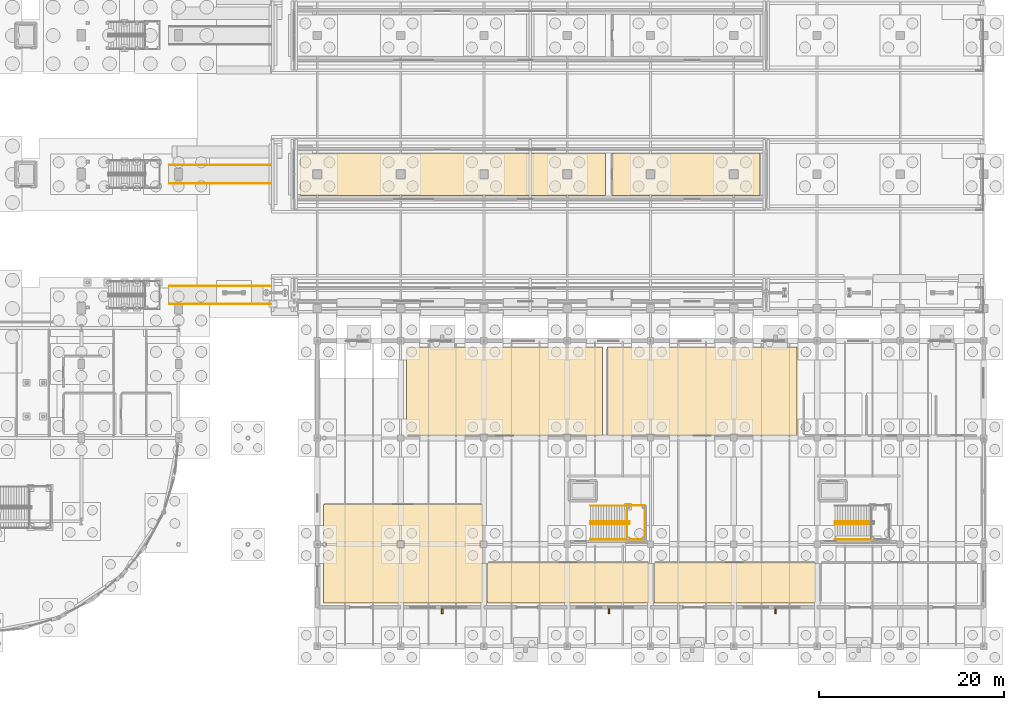
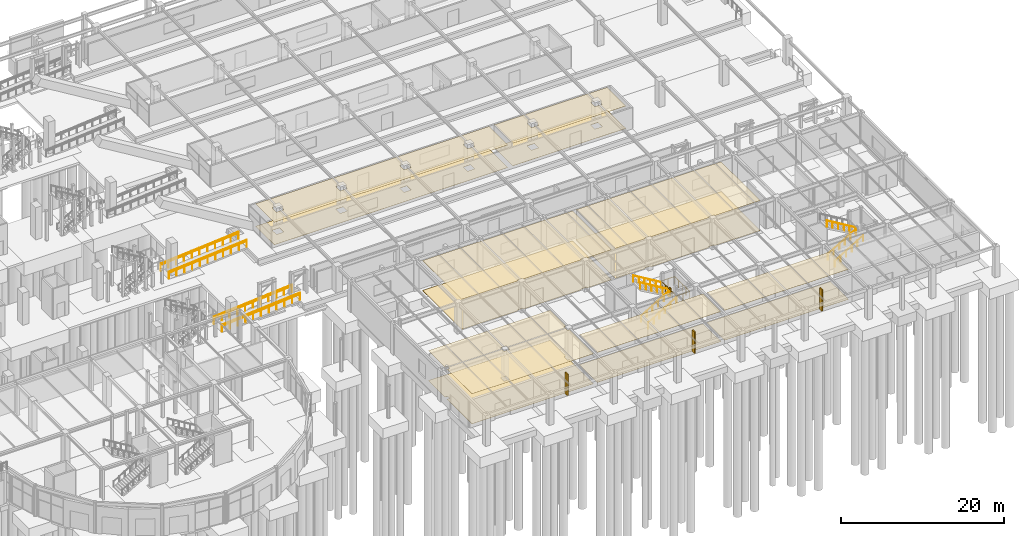
# One storey, part 158 of 160: 17 railings, 14 coverings, 3 shading devices.
"""IFC4 building model written with IfcOpenShell, lengths in metres."""

from ifc_helpers import new_model, si_unit, direction, frame, origin, origin_2d, place, context, subcontext, project, spatial, polyline, rectangle, circle, outline, extrude, material, layer, layer_set, type_object, element, save


model = new_model("IFC4")

# Units and contexts
model_context = context("Model", 3, precision=1e-05, world=origin(), true_north=direction((0.0, 1.0)))
body_context = subcontext(model_context, "Body", "Model", "MODEL_VIEW")
ifc_project = project(units=[si_unit("LENGTHUNIT", "METRE"), si_unit("AREAUNIT", "SQUARE_METRE"), si_unit("VOLUMEUNIT", "CUBIC_METRE"), si_unit("PLANEANGLEUNIT", "RADIAN"), si_unit("MASSUNIT", "GRAM", prefix="KILO")], contexts=[model_context])

# Site, building, storey
site_placement = place(None, origin())
site = spatial("IfcSite", under=ifc_project, at=site_placement, CompositionType="ELEMENT")
building_placement = place(site_placement, origin())
building = spatial("IfcBuilding", under=site, at=building_placement, Name="Marlcrest Central Station", CompositionType="ELEMENT")
storey_placement = place(building_placement, origin())
storey = spatial("IfcBuildingStorey", under=building, at=storey_placement, Name="L00", CompositionType="ELEMENT", Elevation=0.0)

# Coverings
ifc_material_1 = material(Name="Perforated acoustic mineral-fibre ceiling")
ifc_layer_1 = layer(ifc_material_1, 0.02490234375, Name="CV-CLG")
ifc_layer_set_1 = layer_set([ifc_layer_1], Name="Perforated acoustic mineral-fibre ceiling")
covering_type_1 = type_object("IfcCoveringType", Name="CV-CLG", PredefinedType="CEILING", material=ifc_layer_set_1)
covering_1_placement = place(storey_placement, frame((0.0, 0.0, 4.27490234375)))
element("IfcCovering", 1, at=covering_1_placement, inside=storey, type_object=covering_type_1, Name="cov-clg-0010", PredefinedType="CEILING", context=body_context, shape_type="SweptSolid", body=[
    extrude(outline(polyline([(175.139892578125, 48.7099609375), (142.159912109375, 48.7099609375), (142.159912109375, 53.2900390625), (175.139892578125, 53.2900390625), (175.139892578125, 48.7099609375)]), holes=[polyline([(144.510009765625, 50.489990234375), (144.510009765625, 51.510009765625), (143.489990234375, 51.510009765625), (143.489990234375, 50.489990234375), (144.510009765625, 50.489990234375)]), polyline([(152.489990234375, 50.489990234375), (153.510009765625, 50.489990234375), (153.510009765625, 51.510009765625), (152.489990234375, 51.510009765625), (152.489990234375, 50.489990234375)]), polyline([(161.489990234375, 51.510009765625), (161.489990234375, 50.489990234375), (162.510009765625, 50.489990234375), (162.510009765625, 51.510009765625), (161.489990234375, 51.510009765625)]), polyline([(171.510009765625, 51.510009765625), (170.489990234375, 51.510009765625), (170.489990234375, 50.489990234375), (171.510009765625, 50.489990234375), (171.510009765625, 51.510009765625)])]), origin(), (0.0, 0.0, 1.0), 0.025146484375),
])
covering_2_placement = place(storey_placement, frame((0.0, 0.0, 4.27490234375)))
element("IfcCovering", 2, at=covering_2_placement, inside=storey, type_object=covering_type_1, Name="cov-clg-0012", PredefinedType="CEILING", context=body_context, shape_type="SweptSolid", body=[
    extrude(outline(polyline([(175.860107421875, 53.2900390625), (191.840087890625, 53.2900390625), (191.840087890625, 48.7099609375), (175.860107421875, 48.7099609375), (175.860107421875, 53.2900390625)]), holes=[polyline([(179.489990234375, 51.510009765625), (179.489990234375, 50.489990234375), (180.510009765625, 50.489990234375), (180.510009765625, 51.510009765625), (179.489990234375, 51.510009765625)]), polyline([(189.510009765625, 51.510009765625), (188.489990234375, 51.510009765625), (188.489990234375, 50.489990234375), (189.510009765625, 50.489990234375), (189.510009765625, 51.510009765625)])]), origin(), (0.0, 0.0, 1.0), 0.025146484375),
])
covering_3_placement = place(storey_placement, frame((0.0, 0.0, 4.47509765625)))
element("IfcCovering", 3, at=covering_3_placement, inside=storey, type_object=covering_type_1, Name="cov-clg-0042", PredefinedType="CEILING", context=body_context, shape_type="SweptSolid", body=[
    extrude(outline(polyline([(161.840087890625, 15.340087890625), (161.840087890625, 11.409912109375), (161.590087890625, 11.409912109375), (161.590087890625, 10.590087890625), (161.840087890625, 10.590087890625), (161.840087890625, 4.659912109375), (144.659912109375, 4.659912109375), (144.659912109375, 10.737060546875), (145.012939453125, 10.737060546875), (145.012939453125, 11.262939453125), (144.659912109375, 11.262939453125), (144.659912109375, 15.340087890625), (161.840087890625, 15.340087890625)]), holes=[polyline([(152.590087890625, 10.590087890625), (153.409912109375, 10.590087890625), (153.409912109375, 11.409912109375), (152.590087890625, 11.409912109375), (152.590087890625, 10.590087890625)])]), origin(), (0.0, 0.0, 1.0), 0.02490234375),
])
covering_4_placement = place(storey_placement, frame((0.0, 0.0, 4.47509765625)))
element("IfcCovering", 4, at=covering_4_placement, inside=storey, type_object=covering_type_1, Name="cov-clg-0044", PredefinedType="CEILING", context=body_context, shape_type="SweptSolid", body=[
    extrude(outline(polyline([(179.840087890625, 4.659912109375), (179.840087890625, 9.0400390625), (162.360107421875, 9.0400390625), (162.360107421875, 4.659912109375), (179.840087890625, 4.659912109375)])), origin(), (0.0, 0.0, 1.0), 0.02490234375),
])
covering_5_placement = place(storey_placement, frame((0.0, 0.0, 4.47509765625)))
element("IfcCovering", 5, at=covering_5_placement, inside=storey, type_object=covering_type_1, Name="cov-clg-0046", PredefinedType="CEILING", context=body_context, shape_type="SweptSolid", body=[
    extrude(outline(polyline([(197.840087890625, 4.659912109375), (197.840087890625, 9.0400390625), (180.360107421875, 9.0400390625), (180.360107421875, 4.659912109375), (197.840087890625, 4.659912109375)])), origin(), (0.0, 0.0, 1.0), 0.02490234375),
])
covering_6_placement = place(storey_placement, frame((0.0, 0.0, 4.47509765625)))
element("IfcCovering", 6, at=covering_6_placement, inside=storey, type_object=covering_type_1, Name="cov-clg-0050", PredefinedType="CEILING", context=body_context, shape_type="SweptSolid", body=[
    extrude(outline(polyline([(153.659912109375, 32.340087890625), (174.840087890625, 32.340087890625), (174.840087890625, 22.760009765625), (171.409912109375, 22.760009765625), (171.409912109375, 22.909912109375), (170.590087890625, 22.909912109375), (170.590087890625, 22.760009765625), (162.409912109375, 22.760009765625), (162.409912109375, 22.909912109375), (161.590087890625, 22.909912109375), (161.590087890625, 22.760009765625), (153.659912109375, 22.760009765625), (153.659912109375, 32.340087890625)])), origin(), (0.0, 0.0, 1.0), 0.02490234375),
])
covering_7_placement = place(storey_placement, frame((0.0, 0.0, 4.47509765625)))
element("IfcCovering", 7, at=covering_7_placement, inside=storey, type_object=covering_type_1, Name="cov-clg-0052", PredefinedType="CEILING", context=body_context, shape_type="SweptSolid", body=[
    extrude(outline(polyline([(175.360107421875, 32.340087890625), (195.840087890625, 32.340087890625), (195.840087890625, 22.760009765625), (189.409912109375, 22.760009765625), (189.409912109375, 22.909912109375), (188.590087890625, 22.909912109375), (188.590087890625, 22.760009765625), (180.409912109375, 22.760009765625), (180.409912109375, 22.909912109375), (179.590087890625, 22.909912109375), (179.590087890625, 22.760009765625), (175.360107421875, 22.760009765625), (175.360107421875, 32.340087890625)])), origin(), (0.0, 0.0, 1.0), 0.02490234375),
])
ifc_material_2 = material(Name="Polished terrazzo and tactile transit flooring")
ifc_layer_2 = layer(ifc_material_2, 0.030029296875, Name="CV-FLR")
ifc_layer_set_2 = layer_set([ifc_layer_2], Name="Polished terrazzo and tactile transit flooring")
covering_type_2 = type_object("IfcCoveringType", Name="CV-FLR", PredefinedType="FLOORING", material=ifc_layer_set_2)
covering_8_placement = place(storey_placement, frame((0.0, 0.0, 0.9150390625)))
element("IfcCovering", 8, at=covering_8_placement, inside=storey, type_object=covering_type_2, Name="cov-flr-0011", PredefinedType="FLOORING", context=body_context, shape_type="SweptSolid", body=[
    extrude(outline(polyline([(175.139892578125, 48.7099609375), (142.159912109375, 48.7099609375), (142.159912109375, 53.2900390625), (175.139892578125, 53.2900390625), (175.139892578125, 48.7099609375)]), holes=[polyline([(144.510009765625, 50.489990234375), (144.510009765625, 51.510009765625), (143.489990234375, 51.510009765625), (143.489990234375, 50.489990234375), (144.510009765625, 50.489990234375)]), polyline([(152.489990234375, 50.489990234375), (153.510009765625, 50.489990234375), (153.510009765625, 51.510009765625), (152.489990234375, 51.510009765625), (152.489990234375, 50.489990234375)]), polyline([(161.489990234375, 51.510009765625), (161.489990234375, 50.489990234375), (162.510009765625, 50.489990234375), (162.510009765625, 51.510009765625), (161.489990234375, 51.510009765625)]), polyline([(171.510009765625, 51.510009765625), (170.489990234375, 51.510009765625), (170.489990234375, 50.489990234375), (171.510009765625, 50.489990234375), (171.510009765625, 51.510009765625)])]), origin(), (0.0, 0.0, 1.0), 0.030029296875),
])
covering_9_placement = place(storey_placement, frame((0.0, 0.0, 0.9150390625)))
element("IfcCovering", 9, at=covering_9_placement, inside=storey, type_object=covering_type_2, Name="cov-flr-0013", PredefinedType="FLOORING", context=body_context, shape_type="SweptSolid", body=[
    extrude(outline(polyline([(175.860107421875, 53.2900390625), (191.840087890625, 53.2900390625), (191.840087890625, 48.7099609375), (175.860107421875, 48.7099609375), (175.860107421875, 53.2900390625)]), holes=[polyline([(179.489990234375, 51.510009765625), (179.489990234375, 50.489990234375), (180.510009765625, 50.489990234375), (180.510009765625, 51.510009765625), (179.489990234375, 51.510009765625)]), polyline([(189.510009765625, 51.510009765625), (188.489990234375, 51.510009765625), (188.489990234375, 50.489990234375), (189.510009765625, 50.489990234375), (189.510009765625, 51.510009765625)])]), origin(), (0.0, 0.0, 1.0), 0.030029296875),
])
covering_10_placement = place(storey_placement, origin())
element("IfcCovering", 10, at=covering_10_placement, inside=storey, type_object=covering_type_2, Name="cov-flr-0043", PredefinedType="FLOORING", context=body_context, shape_type="SweptSolid", body=[
    extrude(outline(polyline([(161.840087890625, 15.340087890625), (161.840087890625, 11.409912109375), (161.590087890625, 11.409912109375), (161.590087890625, 10.590087890625), (161.840087890625, 10.590087890625), (161.840087890625, 4.659912109375), (144.659912109375, 4.659912109375), (144.659912109375, 10.737060546875), (145.012939453125, 10.737060546875), (145.012939453125, 11.262939453125), (144.659912109375, 11.262939453125), (144.659912109375, 15.340087890625), (161.840087890625, 15.340087890625)]), holes=[polyline([(152.590087890625, 10.590087890625), (153.409912109375, 10.590087890625), (153.409912109375, 11.409912109375), (152.590087890625, 11.409912109375), (152.590087890625, 10.590087890625)])]), origin(), (0.0, 0.0, 1.0), 0.030029296875),
])
covering_11_placement = place(storey_placement, origin())
element("IfcCovering", 11, at=covering_11_placement, inside=storey, type_object=covering_type_2, Name="cov-flr-0045", PredefinedType="FLOORING", context=body_context, shape_type="SweptSolid", body=[
    extrude(outline(polyline([(179.840087890625, 4.659912109375), (179.840087890625, 9.0400390625), (162.360107421875, 9.0400390625), (162.360107421875, 4.659912109375), (179.840087890625, 4.659912109375)])), origin(), (0.0, 0.0, 1.0), 0.030029296875),
])
covering_12_placement = place(storey_placement, origin())
element("IfcCovering", 12, at=covering_12_placement, inside=storey, type_object=covering_type_2, Name="cov-flr-0047", PredefinedType="FLOORING", context=body_context, shape_type="SweptSolid", body=[
    extrude(outline(polyline([(197.840087890625, 4.659912109375), (197.840087890625, 9.0400390625), (180.360107421875, 9.0400390625), (180.360107421875, 4.659912109375), (197.840087890625, 4.659912109375)])), origin(), (0.0, 0.0, 1.0), 0.030029296875),
])
covering_13_placement = place(storey_placement, origin())
element("IfcCovering", 13, at=covering_13_placement, inside=storey, type_object=covering_type_2, Name="cov-flr-0051", PredefinedType="FLOORING", context=body_context, shape_type="SweptSolid", body=[
    extrude(outline(polyline([(153.659912109375, 32.340087890625), (174.840087890625, 32.340087890625), (174.840087890625, 22.760009765625), (171.409912109375, 22.760009765625), (171.409912109375, 22.909912109375), (170.590087890625, 22.909912109375), (170.590087890625, 22.760009765625), (162.409912109375, 22.760009765625), (162.409912109375, 22.909912109375), (161.590087890625, 22.909912109375), (161.590087890625, 22.760009765625), (153.659912109375, 22.760009765625), (153.659912109375, 32.340087890625)])), origin(), (0.0, 0.0, 1.0), 0.030029296875),
])
covering_14_placement = place(storey_placement, origin())
element("IfcCovering", 14, at=covering_14_placement, inside=storey, type_object=covering_type_2, Name="cov-flr-0053", PredefinedType="FLOORING", context=body_context, shape_type="SweptSolid", body=[
    extrude(outline(polyline([(175.360107421875, 32.340087890625), (195.840087890625, 32.340087890625), (195.840087890625, 22.760009765625), (189.409912109375, 22.760009765625), (189.409912109375, 22.909912109375), (188.590087890625, 22.909912109375), (188.590087890625, 22.760009765625), (180.409912109375, 22.760009765625), (180.409912109375, 22.909912109375), (179.590087890625, 22.909912109375), (179.590087890625, 22.760009765625), (175.360107421875, 22.760009765625), (175.360107421875, 32.340087890625)])), origin(), (0.0, 0.0, 1.0), 0.030029296875),
])

# Railings
ifc_material_3 = material(Name="Stainless steel and laminated glass concourse balustrade", Category="steel")
railing_type_1 = type_object("IfcRailingType", Name="GR-02", PredefinedType="BALUSTRADE", material=ifc_material_3)
for number, where, name in (
    (15, (128.0, 36.9599609375, 0.0), "hr-L00-00025"),
    (16, (128.0, 38.93994140625, 0.0), "hr-L00-00027"),
    (17, (128.0, 50.010009765625, 0.0), "hr-L00-00059"),
    (18, (128.0, 51.989990234375, 0.0), "hr-L00-00061"),
):
    element("IfcRailing", number, at=place(storey_placement, frame(where)), inside=storey, type_object=railing_type_1, Name=name, PredefinedType="BALUSTRADE", context=body_context, shape_type="SweptSolid", body=[
        extrude(circle(Radius=0.02392578125, at=origin_2d()), frame((0.0, 0.0, 1.09619140625), z_axis=(0.996557950635, 0.0, 0.082899041171), x_axis=(0.0, 1.0, 0.0)), (0.0, 0.0, 1.0), 11.0380859375),
        extrude(circle(Radius=0.02099609375, at=origin_2d()), origin(), (0.0, 0.0, 1.0), 1.072021484375),
        extrude(circle(Radius=0.02099609375, at=origin_2d()), frame((1.10009765625, 0.0, 0.091552734375)), (0.0, 0.0, 1.0), 1.072021484375),
        extrude(circle(Radius=0.02099609375, at=origin_2d()), frame((2.199951171875, 0.0, 0.18310546875)), (0.0, 0.0, 1.0), 1.072021484375),
        extrude(circle(Radius=0.02099609375, at=origin_2d()), frame((3.300048828125, 0.0, 0.2744140625)), (0.0, 0.0, 1.0), 1.072021484375),
        extrude(circle(Radius=0.02099609375, at=origin_2d()), frame((4.39990234375, 0.0, 0.365966796875)), (0.0, 0.0, 1.0), 1.072021484375),
        extrude(circle(Radius=0.02099609375, at=origin_2d()), frame((5.5, 0.0, 0.45751953125)), (0.0, 0.0, 1.0), 1.072021484375),
        extrude(circle(Radius=0.02099609375, at=origin_2d()), frame((6.60009765625, 0.0, 0.549072265625)), (0.0, 0.0, 1.0), 1.072021484375),
        extrude(circle(Radius=0.02099609375, at=origin_2d()), frame((7.699951171875, 0.0, 0.640625)), (0.0, 0.0, 1.0), 1.072021484375),
        extrude(circle(Radius=0.02099609375, at=origin_2d()), frame((8.800048828125, 0.0, 0.73193359375)), (0.0, 0.0, 1.0), 1.072021484375),
        extrude(circle(Radius=0.02099609375, at=origin_2d()), frame((9.89990234375, 0.0, 0.823486328125)), (0.0, 0.0, 1.0), 1.072021484375),
        extrude(circle(Radius=0.02099609375, at=origin_2d()), frame((11.0, 0.0, 0.9150390625)), (0.0, 0.0, 1.0), 1.072021484375),
    ])
railing_1_placement = place(storey_placement, frame((177.469970703125, 11.510009765625, 2.39990234375)))
element("IfcRailing", 19, at=railing_1_placement, inside=storey, type_object=railing_type_1, Name="hr-L00-00205", PredefinedType="BALUSTRADE", context=body_context, shape_type="SweptSolid", body=[
    extrude(circle(Radius=0.02392578125, at=origin_2d()), frame((0.0, 0.0, 1.09619140625), z_axis=(1.0, 0.0, 0.0), x_axis=(0.0, 1.0, 0.0)), (0.0, 0.0, 1.0), 1.919921875),
    extrude(circle(Radius=0.02392578125, at=origin_2d()), frame((1.919921875, 0.0, 1.09619140625), z_axis=(0.0, 1.0, 0.0), x_axis=(-1.0, 0.0, 0.0)), (0.0, 0.0, 1.0), 3.679931640625),
    extrude(circle(Radius=0.02392578125, at=origin_2d()), frame((1.919921875, 3.679931640625, 1.09619140625), z_axis=(-1.0, 0.0, 0.0), x_axis=(0.0, -1.0, 0.0)), (0.0, 0.0, 1.0), 1.919921875),
    extrude(circle(Radius=0.02099609375, at=origin_2d()), origin(), (0.0, 0.0, 1.0), 1.072021484375),
    extrude(circle(Radius=0.02099609375, at=origin_2d()), frame((0.9599609375, 0.0, 0.0)), (0.0, 0.0, 1.0), 1.072021484375),
    extrude(circle(Radius=0.02099609375, at=origin_2d()), frame((1.919921875, 0.0, 0.0)), (0.0, 0.0, 1.0), 1.072021484375),
    extrude(circle(Radius=0.02099609375, at=origin_2d()), frame((1.919921875, 0.919921875, 0.0)), (0.0, 0.0, 1.0), 1.072021484375),
    extrude(circle(Radius=0.02099609375, at=origin_2d()), frame((1.919921875, 1.83984375, 0.0)), (0.0, 0.0, 1.0), 1.072021484375),
    extrude(circle(Radius=0.02099609375, at=origin_2d()), frame((1.919921875, 2.760009765625, 0.0)), (0.0, 0.0, 1.0), 1.072021484375),
    extrude(circle(Radius=0.02099609375, at=origin_2d()), frame((1.919921875, 3.679931640625, 0.0)), (0.0, 0.0, 1.0), 1.072021484375),
    extrude(circle(Radius=0.02099609375, at=origin_2d()), frame((0.9599609375, 3.679931640625, 0.0)), (0.0, 0.0, 1.0), 1.072021484375),
    extrude(circle(Radius=0.02099609375, at=origin_2d()), frame((0.0, 3.679931640625, 0.0)), (0.0, 0.0, 1.0), 1.072021484375),
])
railing_2_placement = place(storey_placement, frame((177.489990234375, 11.760009765625, 2.39990234375)))
element("IfcRailing", 20, at=railing_2_placement, inside=storey, type_object=railing_type_1, Name="hr-L00-00595", PredefinedType="BALUSTRADE", context=body_context, shape_type="SweptSolid", body=[
    extrude(circle(Radius=0.02392578125, at=origin_2d()), frame((0.0, 0.0, 1.09619140625), z_axis=(0.0, 1.0, 0.0), x_axis=(-1.0, 0.0, 0.0)), (0.0, 0.0, 1.0), 1.469970703125),
    extrude(circle(Radius=0.02392578125, at=origin_2d()), frame((0.0, 1.469970703125, 1.09619140625), z_axis=(1.0, 0.0, 0.0), x_axis=(0.0, 1.0, 0.0)), (0.0, 0.0, 1.0), 0.25),
    extrude(circle(Radius=0.02392578125, at=origin_2d()), frame((0.25, 1.469970703125, 1.09619140625), z_axis=(0.0, 1.0, 0.0), x_axis=(-1.0, 0.0, 0.0)), (0.0, 0.0, 1.0), 0.239990234375),
    extrude(circle(Radius=0.02392578125, at=origin_2d()), frame((0.25, 1.7099609375, 1.09619140625), z_axis=(-1.0, 0.0, 0.0), x_axis=(0.0, -1.0, 0.0)), (0.0, 0.0, 1.0), 0.25),
    extrude(circle(Radius=0.02392578125, at=origin_2d()), frame((0.0, 1.7099609375, 1.09619140625), z_axis=(0.0, 1.0, 0.0), x_axis=(-1.0, 0.0, 0.0)), (0.0, 0.0, 1.0), 1.469970703125),
    extrude(circle(Radius=0.02099609375, at=origin_2d()), origin(), (0.0, 0.0, 1.0), 1.072021484375),
    extrude(circle(Radius=0.02099609375, at=origin_2d()), frame((0.0, 0.73486328125, 0.0)), (0.0, 0.0, 1.0), 1.072021484375),
    extrude(circle(Radius=0.02099609375, at=origin_2d()), frame((0.0, 1.469970703125, 0.0)), (0.0, 0.0, 1.0), 1.072021484375),
    extrude(circle(Radius=0.02099609375, at=origin_2d()), frame((0.25, 1.469970703125, 0.0)), (0.0, 0.0, 1.0), 1.072021484375),
    extrude(circle(Radius=0.02099609375, at=origin_2d()), frame((0.25, 1.7099609375, 0.0)), (0.0, 0.0, 1.0), 1.072021484375),
    extrude(circle(Radius=0.02099609375, at=origin_2d()), frame((0.0, 1.7099609375, 0.0)), (0.0, 0.0, 1.0), 1.072021484375),
    extrude(circle(Radius=0.02099609375, at=origin_2d()), frame((0.0, 2.44482421875, 0.0)), (0.0, 0.0, 1.0), 1.072021484375),
    extrude(circle(Radius=0.02099609375, at=origin_2d()), frame((0.0, 3.179931640625, 0.0)), (0.0, 0.0, 1.0), 1.072021484375),
])
ifc_material_4 = material(Name="Brushed stainless steel handrail", Category="steel")
railing_type_2 = type_object("IfcRailingType", Name="HR-01", PredefinedType="HANDRAIL", material=ifc_material_4)
for number, where, name in (
    (21, (128.0, 36.9599609375, 0.0), "hr-L00-00024"),
    (22, (128.0, 38.93994140625, 0.0), "hr-L00-00026"),
    (23, (128.0, 50.010009765625, 0.0), "hr-L00-00058"),
    (24, (128.0, 51.989990234375, 0.0), "hr-L00-00060"),
):
    element("IfcRailing", number, at=place(storey_placement, frame(where)), inside=storey, type_object=railing_type_2, Name=name, PredefinedType="HANDRAIL", context=body_context, shape_type="SweptSolid", body=[
        extrude(circle(Radius=0.02392578125, at=origin_2d()), frame((0.0, 0.0, 0.89599609375), z_axis=(0.996557950635, 0.0, 0.082899041171), x_axis=(0.0, 1.0, 0.0)), (0.0, 0.0, 1.0), 11.0380859375),
        extrude(circle(Radius=0.02099609375, at=origin_2d()), origin(), (0.0, 0.0, 1.0), 0.871826171875),
        extrude(circle(Radius=0.02099609375, at=origin_2d()), frame((1.10009765625, 0.0, 0.091552734375)), (0.0, 0.0, 1.0), 0.871826171875),
        extrude(circle(Radius=0.02099609375, at=origin_2d()), frame((2.199951171875, 0.0, 0.18310546875)), (0.0, 0.0, 1.0), 0.871826171875),
        extrude(circle(Radius=0.02099609375, at=origin_2d()), frame((3.300048828125, 0.0, 0.2744140625)), (0.0, 0.0, 1.0), 0.871826171875),
        extrude(circle(Radius=0.02099609375, at=origin_2d()), frame((4.39990234375, 0.0, 0.365966796875)), (0.0, 0.0, 1.0), 0.871826171875),
        extrude(circle(Radius=0.02099609375, at=origin_2d()), frame((5.5, 0.0, 0.45751953125)), (0.0, 0.0, 1.0), 0.871826171875),
        extrude(circle(Radius=0.02099609375, at=origin_2d()), frame((6.60009765625, 0.0, 0.549072265625)), (0.0, 0.0, 1.0), 0.871826171875),
        extrude(circle(Radius=0.02099609375, at=origin_2d()), frame((7.699951171875, 0.0, 0.640625)), (0.0, 0.0, 1.0), 0.871826171875),
        extrude(circle(Radius=0.02099609375, at=origin_2d()), frame((8.800048828125, 0.0, 0.73193359375)), (0.0, 0.0, 1.0), 0.871826171875),
        extrude(circle(Radius=0.02099609375, at=origin_2d()), frame((9.89990234375, 0.0, 0.823486328125)), (0.0, 0.0, 1.0), 0.871826171875),
        extrude(circle(Radius=0.02099609375, at=origin_2d()), frame((11.0, 0.0, 0.9150390625)), (0.0, 0.0, 1.0), 0.871826171875),
    ])
railing_3_placement = place(storey_placement, frame((173.52001953125, 11.52001953125, 0.0)))
element("IfcRailing", 25, at=railing_3_placement, inside=storey, type_object=railing_type_2, Name="hr-L00-00201", PredefinedType="HANDRAIL", context=body_context, shape_type="SweptSolid", body=[
    extrude(circle(Radius=0.02392578125, at=origin_2d()), frame((0.0, 0.0, 0.89599609375), z_axis=(0.856932605607, 0.0, 0.515428471708), x_axis=(0.0, 1.0, 0.0)), (0.0, 0.0, 1.0), 4.65625),
    extrude(circle(Radius=0.02099609375, at=origin_2d()), origin(), (0.0, 0.0, 1.0), 0.871826171875),
    extrude(circle(Radius=0.02099609375, at=origin_2d()), frame((0.798095703125, 0.0, 0.47998046875)), (0.0, 0.0, 1.0), 0.871826171875),
    extrude(circle(Radius=0.02099609375, at=origin_2d()), frame((1.595947265625, 0.0, 0.9599609375)), (0.0, 0.0, 1.0), 0.871826171875),
    extrude(circle(Radius=0.02099609375, at=origin_2d()), frame((2.39404296875, 0.0, 1.43994140625)), (0.0, 0.0, 1.0), 0.871826171875),
    extrude(circle(Radius=0.02099609375, at=origin_2d()), frame((3.19189453125, 0.0, 1.919921875)), (0.0, 0.0, 1.0), 0.871826171875),
    extrude(circle(Radius=0.02099609375, at=origin_2d()), frame((3.989990234375, 0.0, 2.39990234375)), (0.0, 0.0, 1.0), 0.871826171875),
])
railing_4_placement = place(storey_placement, frame((177.510009765625, 13.47998046875, 2.39990234375)))
element("IfcRailing", 26, at=railing_4_placement, inside=storey, type_object=railing_type_2, Name="hr-L00-00202", PredefinedType="HANDRAIL", context=body_context, shape_type="SweptSolid", body=[
    extrude(circle(Radius=0.02392578125, at=origin_2d()), frame((0.0, 0.0, 0.89599609375), z_axis=(-0.856909445827, 0.0, 0.515466974357), x_axis=(0.0, -1.0, 0.0)), (0.0, 0.0, 1.0), 4.65625),
    extrude(circle(Radius=0.02099609375, at=origin_2d()), origin(), (0.0, 0.0, 1.0), 0.871826171875),
    extrude(circle(Radius=0.02099609375, at=origin_2d()), frame((-0.798095703125, 0.0, 0.47998046875)), (0.0, 0.0, 1.0), 0.871826171875),
    extrude(circle(Radius=0.02099609375, at=origin_2d()), frame((-1.595947265625, 0.0, 0.9599609375)), (0.0, 0.0, 1.0), 0.871826171875),
    extrude(circle(Radius=0.02099609375, at=origin_2d()), frame((-2.39404296875, 0.0, 1.440185546875)), (0.0, 0.0, 1.0), 0.871826171875),
    extrude(circle(Radius=0.02099609375, at=origin_2d()), frame((-3.19189453125, 0.0, 1.920166015625)), (0.0, 0.0, 1.0), 0.871826171875),
    extrude(circle(Radius=0.02099609375, at=origin_2d()), frame((-3.989990234375, 0.0, 2.400146484375)), (0.0, 0.0, 1.0), 0.871826171875),
])
railing_5_placement = place(storey_placement, frame((173.52001953125, 13.219970703125, 0.0)))
element("IfcRailing", 27, at=railing_5_placement, inside=storey, type_object=railing_type_2, Name="hr-L00-00203", PredefinedType="HANDRAIL", context=body_context, shape_type="SweptSolid", body=[
    extrude(circle(Radius=0.02392578125, at=origin_2d()), frame((0.0, 0.0, 0.89599609375), z_axis=(0.856932605607, 0.0, 0.515428471708), x_axis=(0.0, 1.0, 0.0)), (0.0, 0.0, 1.0), 4.65625),
    extrude(circle(Radius=0.02099609375, at=origin_2d()), origin(), (0.0, 0.0, 1.0), 0.871826171875),
    extrude(circle(Radius=0.02099609375, at=origin_2d()), frame((0.798095703125, 0.0, 0.47998046875)), (0.0, 0.0, 1.0), 0.871826171875),
    extrude(circle(Radius=0.02099609375, at=origin_2d()), frame((1.595947265625, 0.0, 0.9599609375)), (0.0, 0.0, 1.0), 0.871826171875),
    extrude(circle(Radius=0.02099609375, at=origin_2d()), frame((2.39404296875, 0.0, 1.43994140625)), (0.0, 0.0, 1.0), 0.871826171875),
    extrude(circle(Radius=0.02099609375, at=origin_2d()), frame((3.19189453125, 0.0, 1.919921875)), (0.0, 0.0, 1.0), 0.871826171875),
    extrude(circle(Radius=0.02099609375, at=origin_2d()), frame((3.989990234375, 0.0, 2.39990234375)), (0.0, 0.0, 1.0), 0.871826171875),
])
railing_6_placement = place(storey_placement, frame((177.510009765625, 15.179931640625, 2.39990234375)))
element("IfcRailing", 28, at=railing_6_placement, inside=storey, type_object=railing_type_2, Name="hr-L00-00204", PredefinedType="HANDRAIL", context=body_context, shape_type="SweptSolid", body=[
    extrude(circle(Radius=0.02392578125, at=origin_2d()), frame((0.0, 0.0, 0.89599609375), z_axis=(-0.856909445827, 0.0, 0.515466974357), x_axis=(0.0, -1.0, 0.0)), (0.0, 0.0, 1.0), 4.65625),
    extrude(circle(Radius=0.02099609375, at=origin_2d()), origin(), (0.0, 0.0, 1.0), 0.871826171875),
    extrude(circle(Radius=0.02099609375, at=origin_2d()), frame((-0.798095703125, 0.0, 0.47998046875)), (0.0, 0.0, 1.0), 0.871826171875),
    extrude(circle(Radius=0.02099609375, at=origin_2d()), frame((-1.595947265625, 0.0, 0.9599609375)), (0.0, 0.0, 1.0), 0.871826171875),
    extrude(circle(Radius=0.02099609375, at=origin_2d()), frame((-2.39404296875, 0.0, 1.440185546875)), (0.0, 0.0, 1.0), 0.871826171875),
    extrude(circle(Radius=0.02099609375, at=origin_2d()), frame((-3.19189453125, 0.0, 1.920166015625)), (0.0, 0.0, 1.0), 0.871826171875),
    extrude(circle(Radius=0.02099609375, at=origin_2d()), frame((-3.989990234375, 0.0, 2.400146484375)), (0.0, 0.0, 1.0), 0.871826171875),
])
railing_7_placement = place(storey_placement, frame((199.919921875, 11.52001953125, 0.0)))
element("IfcRailing", 29, at=railing_7_placement, inside=storey, type_object=railing_type_2, Name="hr-L00-00206", PredefinedType="HANDRAIL", context=body_context, shape_type="SweptSolid", body=[
    extrude(circle(Radius=0.02392578125, at=origin_2d()), frame((0.0, 0.0, 0.89599609375), z_axis=(0.856932605607, 0.0, 0.515428471708), x_axis=(0.0, 1.0, 0.0)), (0.0, 0.0, 1.0), 4.65625),
    extrude(circle(Radius=0.02099609375, at=origin_2d()), origin(), (0.0, 0.0, 1.0), 0.871826171875),
    extrude(circle(Radius=0.02099609375, at=origin_2d()), frame((0.798095703125, 0.0, 0.47998046875)), (0.0, 0.0, 1.0), 0.871826171875),
    extrude(circle(Radius=0.02099609375, at=origin_2d()), frame((1.595947265625, 0.0, 0.9599609375)), (0.0, 0.0, 1.0), 0.871826171875),
    extrude(circle(Radius=0.02099609375, at=origin_2d()), frame((2.39404296875, 0.0, 1.43994140625)), (0.0, 0.0, 1.0), 0.871826171875),
    extrude(circle(Radius=0.02099609375, at=origin_2d()), frame((3.19189453125, 0.0, 1.919921875)), (0.0, 0.0, 1.0), 0.871826171875),
    extrude(circle(Radius=0.02099609375, at=origin_2d()), frame((3.989990234375, 0.0, 2.39990234375)), (0.0, 0.0, 1.0), 0.871826171875),
])
railing_8_placement = place(storey_placement, frame((203.909912109375, 13.47998046875, 2.39990234375)))
element("IfcRailing", 30, at=railing_8_placement, inside=storey, type_object=railing_type_2, Name="hr-L00-00207", PredefinedType="HANDRAIL", context=body_context, shape_type="SweptSolid", body=[
    extrude(circle(Radius=0.02392578125, at=origin_2d()), frame((0.0, 0.0, 0.89599609375), z_axis=(-0.856909445827, 0.0, 0.515466974357), x_axis=(0.0, -1.0, 0.0)), (0.0, 0.0, 1.0), 4.65625),
    extrude(circle(Radius=0.02099609375, at=origin_2d()), origin(), (0.0, 0.0, 1.0), 0.871826171875),
    extrude(circle(Radius=0.02099609375, at=origin_2d()), frame((-0.798095703125, 0.0, 0.47998046875)), (0.0, 0.0, 1.0), 0.871826171875),
    extrude(circle(Radius=0.02099609375, at=origin_2d()), frame((-1.595947265625, 0.0, 0.9599609375)), (0.0, 0.0, 1.0), 0.871826171875),
    extrude(circle(Radius=0.02099609375, at=origin_2d()), frame((-2.39404296875, 0.0, 1.440185546875)), (0.0, 0.0, 1.0), 0.871826171875),
    extrude(circle(Radius=0.02099609375, at=origin_2d()), frame((-3.19189453125, 0.0, 1.920166015625)), (0.0, 0.0, 1.0), 0.871826171875),
    extrude(circle(Radius=0.02099609375, at=origin_2d()), frame((-3.989990234375, 0.0, 2.400146484375)), (0.0, 0.0, 1.0), 0.871826171875),
])
railing_9_placement = place(storey_placement, frame((199.919921875, 13.219970703125, 0.0)))
element("IfcRailing", 31, at=railing_9_placement, inside=storey, type_object=railing_type_2, Name="hr-L00-00208", PredefinedType="HANDRAIL", context=body_context, shape_type="SweptSolid", body=[
    extrude(circle(Radius=0.02392578125, at=origin_2d()), frame((0.0, 0.0, 0.89599609375), z_axis=(0.856932605607, 0.0, 0.515428471708), x_axis=(0.0, 1.0, 0.0)), (0.0, 0.0, 1.0), 4.65625),
    extrude(circle(Radius=0.02099609375, at=origin_2d()), origin(), (0.0, 0.0, 1.0), 0.871826171875),
    extrude(circle(Radius=0.02099609375, at=origin_2d()), frame((0.798095703125, 0.0, 0.47998046875)), (0.0, 0.0, 1.0), 0.871826171875),
    extrude(circle(Radius=0.02099609375, at=origin_2d()), frame((1.595947265625, 0.0, 0.9599609375)), (0.0, 0.0, 1.0), 0.871826171875),
    extrude(circle(Radius=0.02099609375, at=origin_2d()), frame((2.39404296875, 0.0, 1.43994140625)), (0.0, 0.0, 1.0), 0.871826171875),
    extrude(circle(Radius=0.02099609375, at=origin_2d()), frame((3.19189453125, 0.0, 1.919921875)), (0.0, 0.0, 1.0), 0.871826171875),
    extrude(circle(Radius=0.02099609375, at=origin_2d()), frame((3.989990234375, 0.0, 2.39990234375)), (0.0, 0.0, 1.0), 0.871826171875),
])

# Shading devices
ifc_material_5 = material(Name="Precast concrete C40/50", Category="concrete")
shading_device_type = type_object("IfcShadingDeviceType", Name="SD-BS2", PredefinedType="USERDEFINED", material=ifc_material_5)
for number, where, z_axis, x_axis, name in (
    (32, (157.5, 3.764892578125, 0.47509765625), (0.0, 0.0, 1.0), (1.0, 0.0, 0.0), "shd-L00-0023"),
    (33, (175.5, 3.764892578125, 0.47509765625), (0.0, 0.0, 1.0), (1.0, 0.0, 0.0), "shd-L00-0024"),
    (34, (193.5, 3.764892578125, 0.47509765625), (0.0, 0.0, 1.0), (1.0, 0.0, 0.0), "shd-L00-0025"),
):
    element("IfcShadingDevice", number, at=place(storey_placement, frame(where, z_axis=z_axis, x_axis=x_axis)), inside=storey, type_object=shading_device_type, Name=name, ObjectType="BRISE_SOLEIL", PredefinedType="USERDEFINED", context=body_context, shape_type="SweptSolid", body=[
        extrude(rectangle(XDim=0.179931640625, YDim=0.550048828125, at=origin_2d()), origin(), (0.0, 0.0, 1.0), 3.199951171875),
    ])

save(model, "model.ifc")
